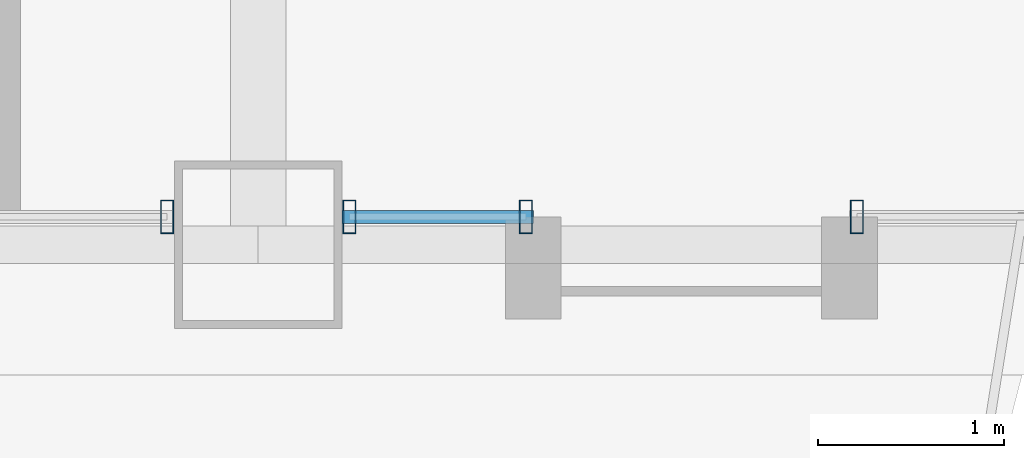
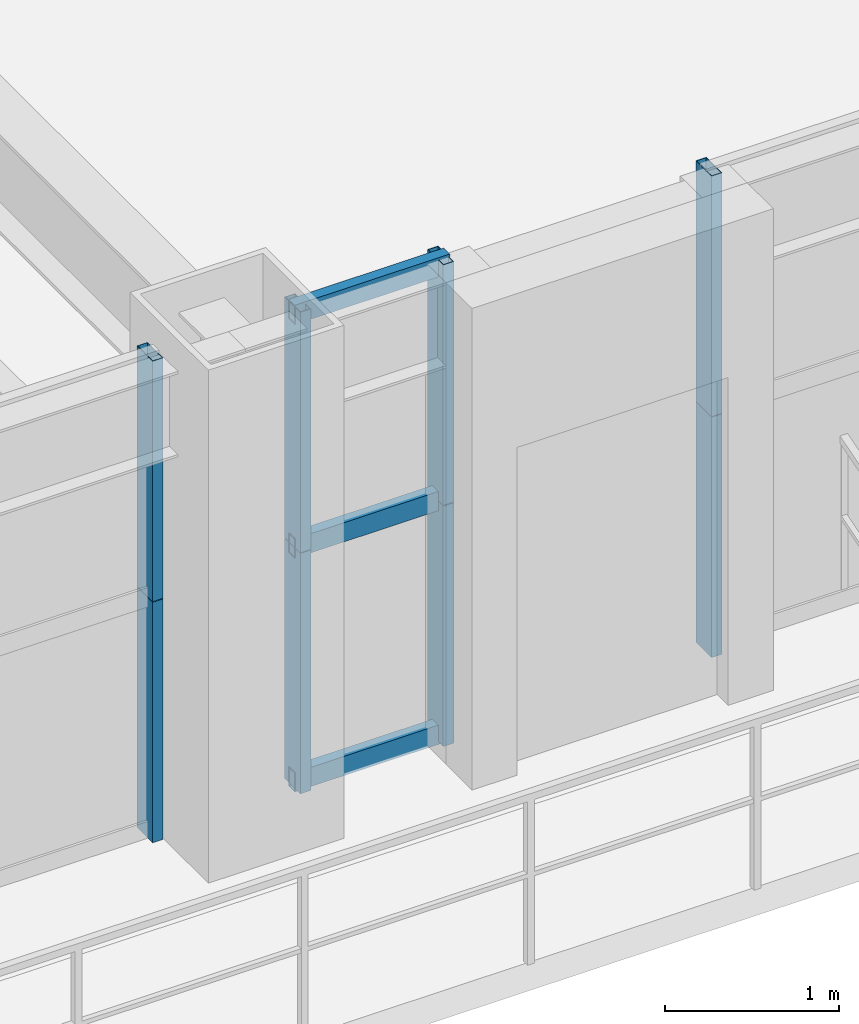
# One storey, part 8 of 41: 11 members, 3 elements without a shape of their own.
"""IFC4 building model written with IfcOpenShell, lengths in metres."""

from ifc_helpers import new_model, si_unit, direction, frame, origin, origin_2d, place, context, subcontext, project, spatial, hollow_rectangle, extrude, source, transform, mapped, material, layer, layer_set, material_profile, profile_set, type_object, element, aggregate, save


model = new_model("IFC4")

# Units and contexts
model_context = context("Model", 3, precision=1e-05, world=origin(), true_north=direction((0.0, 1.0)))
body_context = subcontext(model_context, "Body", "Model", "MODEL_VIEW")
ifc_project = project(units=[si_unit("LENGTHUNIT", "METRE"), si_unit("AREAUNIT", "SQUARE_METRE"), si_unit("VOLUMEUNIT", "CUBIC_METRE"), si_unit("PLANEANGLEUNIT", "RADIAN"), si_unit("MASSUNIT", "GRAM", prefix="KILO"), si_unit("THERMODYNAMICTEMPERATUREUNIT", "KELVIN"), si_unit("POWERUNIT", "WATT")], contexts=[model_context])

# Site, building, storey
site_placement = place(None, origin())
site = spatial("IfcSite", under=ifc_project, at=site_placement, CompositionType="ELEMENT")
building_placement = place(site_placement, origin())
building = spatial("IfcBuilding", under=site, at=building_placement, Name="Yuzanri Waterfront Tower", CompositionType="ELEMENT")
storey_placement = place(building_placement, frame((0.0, 0.0, 122.60009765625)))
storey = spatial("IfcBuildingStorey", under=building, at=storey_placement, Name="L32", CompositionType="ELEMENT", Elevation=122.60009765625)

# Curtain wall, members
ifc_material_1 = material(Name="Anodized Architectural Bronze", Category="metal")
ifc_layer = layer(ifc_material_1, 0.159912109375)
ifc_layer_set = layer_set([ifc_layer], Name="Anodized Architectural Bronze")
curtain_wall_type = type_object("IfcCurtainWallType", Name="Anodized Bronze Hotel Upper-Tier Solar-Control Unitized Curtain Wall 7800", PredefinedType="NOTDEFINED", material=ifc_layer_set)
curtain_wall_1_placement = place(storey_placement, origin())
curtain_wall_1 = element("IfcCurtainWall", 1, at=curtain_wall_1_placement, inside=storey, type_object=curtain_wall_type, Name="L32 Curtain Wall CW-L32-SL", PredefinedType="NOTDEFINED")
ifc_material_2 = material(Name="Anodized Architectural Bronze", Category="metal")
ifc_material_profile_1 = material_profile(ifc_material_2, hollow_rectangle(XDim=0.070068359375, YDim=0.179931640625, WallThickness=0.00390625, at=origin_2d()), Name="CWM 70x180")
ifc_profile_set_1 = profile_set([ifc_material_profile_1], Name="Anodized Architectural Bronze")
member_type_1 = type_object("IfcMemberType", Name="Anodized Bronze Standard Curtain-Wall Mullion 70x180", PredefinedType="MULLION", material=ifc_profile_set_1)
shared_shape_1 = source(origin(), body_context, "Body", "SweptSolid", [
    extrude(hollow_rectangle(XDim=0.070068359375, YDim=0.179931640625, WallThickness=0.00390625, at=origin_2d()), origin(), (0.0, 0.0, 1.0), 1.68798828125),
])
member_1_placement = place(storey_placement, frame((36.510009765625, 2.35009765625, 0.0), z_axis=(0.0, 0.0, 1.0), x_axis=(1.0, 0.0, 0.0)))
member_1 = element("IfcMember", 2, at=member_1_placement, type_object=member_type_1, Name="CW-L32-SL Lower Mullion 02", PredefinedType="MULLION", context=body_context, shape_type="MappedRepresentation", body=[
    mapped(shared_shape_1, transform((0.0, 0.0, 0.0), scale=1.0)),
])
member_2_placement = place(storey_placement, frame((36.510009765625, 2.35009765625, 1.69189453125), z_axis=(0.0, 0.0, 1.0), x_axis=(1.0, 0.0, 0.0)))
member_2 = element("IfcMember", 3, at=member_2_placement, type_object=member_type_1, Name="CW-L32-SL Upper Mullion 02", PredefinedType="MULLION", context=body_context, shape_type="MappedRepresentation", body=[
    mapped(shared_shape_1, transform((0.0, 0.0, 0.0), scale=1.0)),
])
aggregate(curtain_wall_1, [member_1, member_2])

curtain_wall_2_placement = place(storey_placement, origin())
curtain_wall_2 = element("IfcCurtainWall", 4, at=curtain_wall_2_placement, inside=storey, type_object=curtain_wall_type, Name="L32 Curtain Wall CW-L32-SR1", PredefinedType="NOTDEFINED")
member_3_placement = place(storey_placement, frame((37.489990234375, 2.35009765625, 0.0), z_axis=(0.0, 0.0, 1.0), x_axis=(1.0, 0.0, 0.0)))
member_3 = element("IfcMember", 5, at=member_3_placement, type_object=member_type_1, Name="CW-L32-SR1 Lower Mullion 00", PredefinedType="MULLION", context=body_context, shape_type="MappedRepresentation", body=[
    mapped(shared_shape_1, transform((0.0, 0.0, 0.0), scale=1.0)),
])
member_4_placement = place(storey_placement, frame((37.489990234375, 2.35009765625, 1.69189453125), z_axis=(0.0, 0.0, 1.0), x_axis=(1.0, 0.0, 0.0)))
member_4 = element("IfcMember", 6, at=member_4_placement, type_object=member_type_1, Name="CW-L32-SR1 Upper Mullion 00", PredefinedType="MULLION", context=body_context, shape_type="MappedRepresentation", body=[
    mapped(shared_shape_1, transform((0.0, 0.0, 0.0), scale=1.0)),
])
member_5_placement = place(storey_placement, frame((38.43896484375, 2.35009765625, 0.0), z_axis=(0.0, 0.0, 1.0), x_axis=(1.0, 0.0, 0.0)))
member_5 = element("IfcMember", 7, at=member_5_placement, type_object=member_type_1, Name="CW-L32-SR1 Lower Mullion 01", PredefinedType="MULLION", context=body_context, shape_type="MappedRepresentation", body=[
    mapped(shared_shape_1, transform((0.0, 0.0, 0.0), scale=1.0)),
])
member_6_placement = place(storey_placement, frame((38.43896484375, 2.35009765625, 1.69189453125), z_axis=(0.0, 0.0, 1.0), x_axis=(1.0, 0.0, 0.0)))
member_6 = element("IfcMember", 8, at=member_6_placement, type_object=member_type_1, Name="CW-L32-SR1 Upper Mullion 01", PredefinedType="MULLION", context=body_context, shape_type="MappedRepresentation", body=[
    mapped(shared_shape_1, transform((0.0, 0.0, 0.0), scale=1.0)),
])

curtain_wall_3_placement = place(storey_placement, origin())
curtain_wall_3 = element("IfcCurtainWall", 9, at=curtain_wall_3_placement, inside=storey, type_object=curtain_wall_type, Name="L32 Curtain Wall CW-L32-SR2", PredefinedType="NOTDEFINED")
member_7_placement = place(storey_placement, frame((40.218994140625, 2.35009765625, 0.0), z_axis=(0.0, 0.0, 1.0), x_axis=(1.0, 0.0, 0.0)))
member_7 = element("IfcMember", 10, at=member_7_placement, type_object=member_type_1, Name="CW-L32-SR2 Lower Mullion 00", PredefinedType="MULLION", context=body_context, shape_type="MappedRepresentation", body=[
    mapped(shared_shape_1, transform((0.0, 0.0, 0.0), scale=1.0)),
])
member_8_placement = place(storey_placement, frame((40.218994140625, 2.35009765625, 1.69189453125), z_axis=(0.0, 0.0, 1.0), x_axis=(1.0, 0.0, 0.0)))
member_8 = element("IfcMember", 11, at=member_8_placement, type_object=member_type_1, Name="CW-L32-SR2 Upper Mullion 00", PredefinedType="MULLION", context=body_context, shape_type="MappedRepresentation", body=[
    mapped(shared_shape_1, transform((0.0, 0.0, 0.0), scale=1.0)),
])
aggregate(curtain_wall_3, [member_7, member_8])

# Member
ifc_material_3 = material(Name="Anodized Architectural Bronze", Category="metal")
ifc_material_profile_2 = material_profile(ifc_material_3, hollow_rectangle(XDim=0.070068359375, YDim=0.135009765625, WallThickness=0.00341796875, at=origin_2d()), Name="CWT 70x135")
ifc_profile_set_2 = profile_set([ifc_material_profile_2], Name="Anodized Architectural Bronze")
member_type_2 = type_object("IfcMemberType", Name="Anodized Bronze Standard Curtain-Wall Transom 70x135", PredefinedType="USERDEFINED", material=ifc_profile_set_2)
shared_shape_2 = source(origin(), body_context, "Body", "SweptSolid", [
    extrude(hollow_rectangle(XDim=0.070068359375, YDim=0.135009765625, WallThickness=0.00341796875, at=origin_2d()), origin(), (0.0, 0.0, 1.0), 1.029052734375),
])
member_9_placement = place(storey_placement, frame((37.449951171875, 2.35009765625, 0.0498046875), z_axis=(1.0, 0.0, 0.0), x_axis=(0.0, 1.0, 0.0)))
member_9 = element("IfcMember", 12, at=member_9_placement, type_object=member_type_2, Name="CW-L32-SR1 Transom 1", ObjectType="TRANSOM", PredefinedType="USERDEFINED", context=body_context, shape_type="MappedRepresentation", body=[
    mapped(shared_shape_2, transform((0.0, 0.0, 0.0), scale=1.0)),
])

member_10_placement = place(storey_placement, frame((37.449951171875, 2.35009765625, 1.68994140625), z_axis=(1.0, 0.0, 0.0), x_axis=(0.0, 1.0, 0.0)))
member_10 = element("IfcMember", 13, at=member_10_placement, type_object=member_type_2, Name="CW-L32-SR1 Transom 2", ObjectType="TRANSOM", PredefinedType="USERDEFINED", context=body_context, shape_type="MappedRepresentation", body=[
    mapped(shared_shape_2, transform((0.0, 0.0, 0.0), scale=1.0)),
])

member_11_placement = place(storey_placement, frame((37.449951171875, 2.35009765625, 3.329833984375), z_axis=(1.0, 0.0, 0.0), x_axis=(0.0, 1.0, 0.0)))
member_11 = element("IfcMember", 14, at=member_11_placement, type_object=member_type_2, Name="CW-L32-SR1 Transom 3", ObjectType="TRANSOM", PredefinedType="USERDEFINED", context=body_context, shape_type="MappedRepresentation", body=[
    mapped(shared_shape_2, transform((0.0, 0.0, 0.0), scale=1.0)),
])

aggregate(curtain_wall_2, [member_3, member_4, member_5, member_6, member_9, member_10, member_11])

save(model, "model.ifc")
